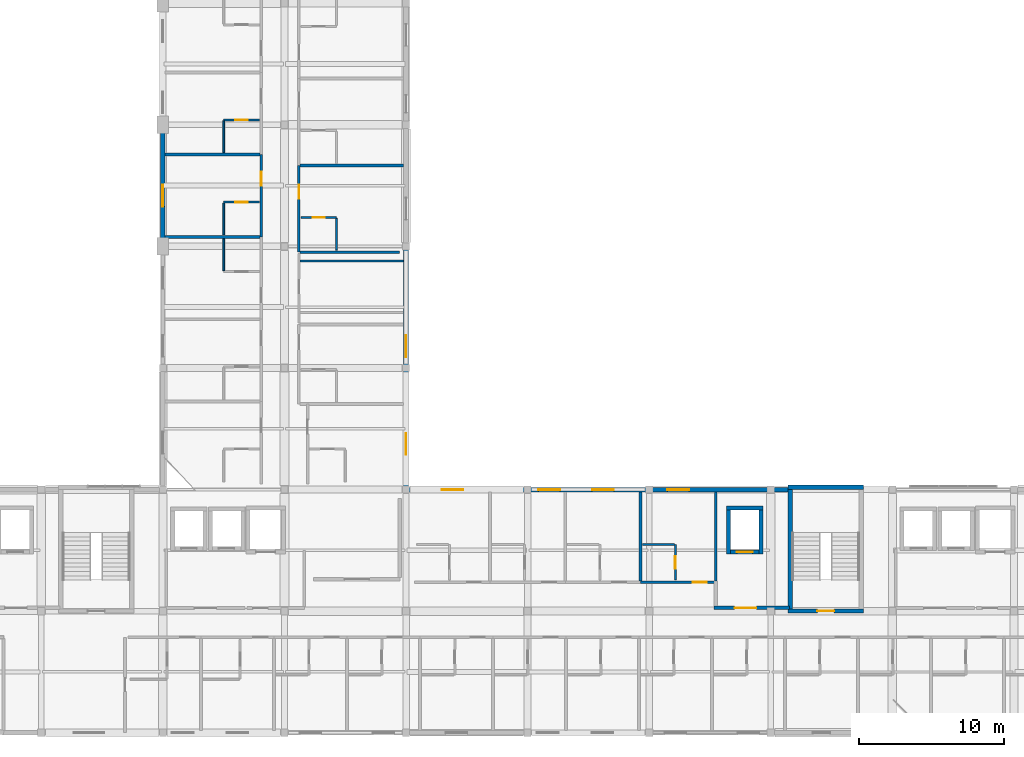
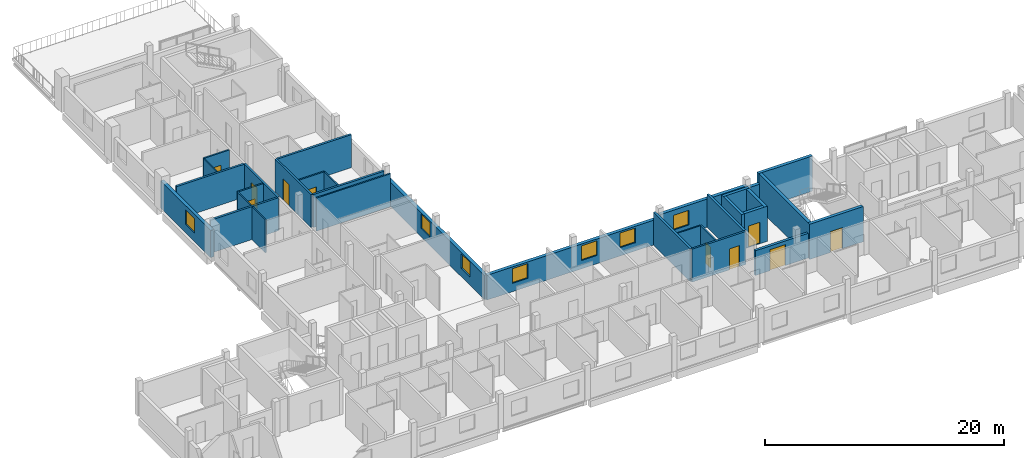
# One storey, part 13 of 20: 32 walls, 10 doors, 7 windows, 17 openings.
"""IFC4 building model written with IfcOpenShell, lengths in metres."""

from ifc_helpers import new_model, si_unit, derived_unit, direction, frame, frame_2d, origin, place, context, subcontext, project, spatial, rectangle, extrude, material, layer, layer_set, type_object, element, fill, save


model = new_model("IFC4")

# Units and contexts
model_context = context("Model", 3, precision=1e-05, world=origin(), true_north=direction((0.0, 1.0)))
body_context = subcontext(model_context, "Body", "Model", "MODEL_VIEW")
ifc_project = project(units=[si_unit("LENGTHUNIT", "METRE"), si_unit("AREAUNIT", "SQUARE_METRE"), si_unit("VOLUMEUNIT", "CUBIC_METRE"), si_unit("PLANEANGLEUNIT", "RADIAN"), si_unit("MASSUNIT", "GRAM", prefix="KILO"), derived_unit("THERMALTRANSMITTANCEUNIT", [(si_unit("POWERUNIT", "WATT"), 1), (si_unit("LENGTHUNIT", "METRE"), -2), (si_unit("THERMODYNAMICTEMPERATUREUNIT", "KELVIN"), -1)])], contexts=[model_context])

# Site, building, storey
site_placement = place(None, origin())
site = spatial("IfcSite", under=ifc_project, at=site_placement, CompositionType="ELEMENT")
building_placement = place(site_placement, origin())
building = spatial("IfcBuilding", under=site, at=building_placement, Name="Barrovel Congress Hotel", CompositionType="ELEMENT")
storey_placement = place(building_placement, frame((0.0, 0.0, 39.89990234375)))
storey = spatial("IfcBuildingStorey", under=building, at=storey_placement, Name="L10", CompositionType="ELEMENT", Elevation=39.89990234375)

# Wall, openings, windows
ifc_material_1 = material(Name="Fired Clay Brick Masonry", Category="masonry")
ifc_layer_1 = layer(ifc_material_1, 0.320068359375)
ifc_layer_set_1 = layer_set([ifc_layer_1], Name="Fired Clay Brick Masonry")
wall_type_1 = type_object("IfcWallType", Name="EW-BRK320", PredefinedType="STANDARD", material=ifc_layer_set_1)
wall_1_placement = place(storey_placement, frame((67.199951171875, 21.0, 0.0), z_axis=(0.0, 0.0, 1.0), x_axis=(-1.0, 0.0, 0.0)))
wall_1 = element("IfcWall", 1, at=wall_1_placement, inside=storey, type_object=wall_type_1, Name="EW:L10:HS-NE-3", PredefinedType="STANDARD", context=body_context, shape_type="SweptSolid", body=[
    extrude(rectangle(XDim=16.800048828125, YDim=0.320068359375, at=frame_2d((8.39990234375, 0.0))), origin(), (0.0, 0.0, 1.0), 2.530029296875),
])
opening_1_placement = place(wall_1_placement, frame((12.85009765625, 0.0, 0.85009765625)))
opening_1 = element("IfcOpeningElement", 2, at=opening_1_placement, cuts=wall_1, Name="Opening WN-07", PredefinedType="OPENING", context=body_context, shape_type="SweptSolid", body=[
    extrude(rectangle(XDim=1.5, YDim=1.5, at=frame_2d((0.75, 0.75))), frame((0.0, 0.169921875, 0.0), z_axis=(0.0, -1.0, 0.0), x_axis=(1.0, 0.0, 0.0)), (0.0, 0.0, 1.0), 0.340087890625),
])
opening_2_placement = place(wall_1_placement, frame((6.14990234375, 0.0, 0.85009765625)))
opening_2 = element("IfcOpeningElement", 3, at=opening_2_placement, cuts=wall_1, Name="Opening WN-07", PredefinedType="OPENING", context=body_context, shape_type="SweptSolid", body=[
    extrude(rectangle(XDim=1.5, YDim=1.5, at=frame_2d((0.75, 0.75))), frame((0.0, 0.169921875, 0.0), z_axis=(0.0, -1.0, 0.0), x_axis=(1.0, 0.0, 0.0)), (0.0, 0.0, 1.0), 0.340087890625),
])
opening_3_placement = place(wall_1_placement, frame((2.449951171875, 0.0, 0.85009765625)))
opening_3 = element("IfcOpeningElement", 4, at=opening_3_placement, cuts=wall_1, Name="Opening WN-07", PredefinedType="OPENING", context=body_context, shape_type="SweptSolid", body=[
    extrude(rectangle(XDim=1.5, YDim=1.5, at=frame_2d((0.75, 0.75))), frame((0.0, 0.169921875, 0.0), z_axis=(0.0, -1.0, 0.0), x_axis=(1.0, 0.0, 0.0)), (0.0, 0.0, 1.0), 0.340087890625),
])
ifc_material_2 = material(Name="Double Low-E Insulated Glazing", Category="glass")
window_type = type_object("IfcWindowType", Name="WIN-WN-07", PartitioningType="SINGLE_PANEL", PredefinedType="WINDOW", material=ifc_material_2)
window_1_placement = place(opening_1_placement, origin())
window_1 = element("IfcWindow", 5, at=window_1_placement, inside=storey, type_object=window_type, Name="WIN:L10:U18", OverallHeight=1.5, OverallWidth=1.5, PartitioningType="SINGLE_PANEL", PredefinedType="WINDOW", context=body_context, shape_type="SweptSolid", body=[
    extrude(rectangle(XDim=1.5, YDim=1.5, at=frame_2d((0.75, 0.75))), frame((0.0, 0.030029296875, 0.0), z_axis=(0.0, -1.0, 0.0), x_axis=(1.0, 0.0, 0.0)), (0.0, 0.0, 1.0), 0.06005859375),
])
fill(opening_1, window_1)
window_2_placement = place(opening_2_placement, origin())
window_2 = element("IfcWindow", 6, at=window_2_placement, inside=storey, type_object=window_type, Name="WIN:L10:U19", OverallHeight=1.5, OverallWidth=1.5, PartitioningType="SINGLE_PANEL", PredefinedType="WINDOW", context=body_context, shape_type="SweptSolid", body=[
    extrude(rectangle(XDim=1.5, YDim=1.5, at=frame_2d((0.75, 0.75))), frame((0.0, 0.030029296875, 0.0), z_axis=(0.0, -1.0, 0.0), x_axis=(1.0, 0.0, 0.0)), (0.0, 0.0, 1.0), 0.06005859375),
])
fill(opening_2, window_2)
window_3_placement = place(opening_3_placement, origin())
window_3 = element("IfcWindow", 7, at=window_3_placement, inside=storey, type_object=window_type, Name="WIN:L10:U20", OverallHeight=1.5, OverallWidth=1.5, PartitioningType="SINGLE_PANEL", PredefinedType="WINDOW", context=body_context, shape_type="SweptSolid", body=[
    extrude(rectangle(XDim=1.5, YDim=1.5, at=frame_2d((0.75, 0.75))), frame((0.0, 0.030029296875, 0.0), z_axis=(0.0, -1.0, 0.0), x_axis=(1.0, 0.0, 0.0)), (0.0, 0.0, 1.0), 0.06005859375),
])
fill(opening_3, window_3)

wall_2_placement = place(storey_placement, frame((50.39990234375, 21.0, 0.0), z_axis=(0.0, 0.0, 1.0), x_axis=(0.0, 1.0, 0.0)))
wall_2 = element("IfcWall", 8, at=wall_2_placement, inside=storey, type_object=wall_type_1, Name="EW:L10:HW-E-1", PredefinedType="STANDARD", context=body_context, shape_type="SweptSolid", body=[
    extrude(rectangle(XDim=16.800048828125, YDim=0.320068359375, at=frame_2d((8.39990234375, 0.0))), origin(), (0.0, 0.0, 1.0), 2.47998046875),
])
opening_4_placement = place(wall_2_placement, frame((2.39990234375, 0.0, 0.85009765625)))
opening_4 = element("IfcOpeningElement", 9, at=opening_4_placement, cuts=wall_2, Name="Opening WN-07", PredefinedType="OPENING", context=body_context, shape_type="SweptSolid", body=[
    extrude(rectangle(XDim=1.5, YDim=1.5, at=frame_2d((0.75, 0.75))), frame((0.0, 0.169921875, 0.0), z_axis=(0.0, -1.0, 0.0), x_axis=(1.0, 0.0, 0.0)), (0.0, 0.0, 1.0), 0.340087890625),
])
opening_5_placement = place(wall_2_placement, frame((9.14990234375, 0.0, 0.85009765625)))
opening_5 = element("IfcOpeningElement", 10, at=opening_5_placement, cuts=wall_2, Name="Opening WN-07", PredefinedType="OPENING", context=body_context, shape_type="SweptSolid", body=[
    extrude(rectangle(XDim=1.5, YDim=1.5, at=frame_2d((0.75, 0.75))), frame((0.0, 0.169921875, 0.0), z_axis=(0.0, -1.0, 0.0), x_axis=(1.0, 0.0, 0.0)), (0.0, 0.0, 1.0), 0.340087890625),
])
window_4_placement = place(opening_4_placement, origin())
window_4 = element("IfcWindow", 11, at=window_4_placement, inside=storey, type_object=window_type, Name="WIN:L10:U32", OverallHeight=1.5, OverallWidth=1.5, PartitioningType="SINGLE_PANEL", PredefinedType="WINDOW", context=body_context, shape_type="SweptSolid", body=[
    extrude(rectangle(XDim=1.5, YDim=1.5, at=frame_2d((0.75, 0.75))), frame((0.0, 0.030029296875, 0.0), z_axis=(0.0, -1.0, 0.0), x_axis=(1.0, 0.0, 0.0)), (0.0, 0.0, 1.0), 0.06005859375),
])
fill(opening_4, window_4)
window_5_placement = place(opening_5_placement, origin())
window_5 = element("IfcWindow", 12, at=window_5_placement, inside=storey, type_object=window_type, Name="WIN:L10:U33", OverallHeight=1.5, OverallWidth=1.5, PartitioningType="SINGLE_PANEL", PredefinedType="WINDOW", context=body_context, shape_type="SweptSolid", body=[
    extrude(rectangle(XDim=1.5, YDim=1.5, at=frame_2d((0.75, 0.75))), frame((0.0, 0.030029296875, 0.0), z_axis=(0.0, -1.0, 0.0), x_axis=(1.0, 0.0, 0.0)), (0.0, 0.0, 1.0), 0.06005859375),
])
fill(opening_5, window_5)

# Wall
wall_3_placement = place(storey_placement, frame((76.800048828125, 21.0, 0.0), z_axis=(0.0, 0.0, 1.0), x_axis=(-1.0, 0.0, 0.0)))
element("IfcWall", 13, at=wall_3_placement, inside=storey, type_object=wall_type_1, Name="EW:L10:HS-NE-3:P01", PredefinedType="STANDARD", context=body_context, shape_type="SweptSolid", body=[
    extrude(rectangle(XDim=1.199951171875, YDim=0.320068359375, at=frame_2d((0.60009765625, 0.0))), origin(), (0.0, 0.0, 1.0), 2.630126953125),
])

# Wall, opening, window
wall_4_placement = place(storey_placement, frame((75.60009765625, 21.0, 0.0), z_axis=(0.0, 0.0, 1.0), x_axis=(-1.0, 0.0, 0.0)))
wall_4 = element("IfcWall", 14, at=wall_4_placement, inside=storey, type_object=wall_type_1, Name="EW:L10:HS-NE-3:P02", PredefinedType="STANDARD", context=body_context, shape_type="SweptSolid", body=[
    extrude(rectangle(XDim=8.400146484375, YDim=0.320068359375, at=frame_2d((4.2001953125, 0.0))), origin(), (0.0, 0.0, 1.0), 2.880126953125),
])
opening_6_placement = place(wall_4_placement, frame((5.64990234375, 0.0, 0.85009765625)))
opening_6 = element("IfcOpeningElement", 15, at=opening_6_placement, cuts=wall_4, Name="Opening WN-07", PredefinedType="OPENING", context=body_context, shape_type="SweptSolid", body=[
    extrude(rectangle(XDim=1.5, YDim=1.5, at=frame_2d((0.75, 0.75))), frame((0.0, 0.169921875, 0.0), z_axis=(0.0, -1.0, 0.0), x_axis=(1.0, 0.0, 0.0)), (0.0, 0.0, 1.0), 0.340087890625),
])
window_6_placement = place(opening_6_placement, origin())
window_6 = element("IfcWindow", 16, at=window_6_placement, inside=storey, type_object=window_type, Name="WIN:L10:U21", OverallHeight=1.5, OverallWidth=1.5, PartitioningType="SINGLE_PANEL", PredefinedType="WINDOW", context=body_context, shape_type="SweptSolid", body=[
    extrude(rectangle(XDim=1.5, YDim=1.5, at=frame_2d((0.75, 0.75))), frame((0.0, 0.030029296875, 0.0), z_axis=(0.0, -1.0, 0.0), x_axis=(1.0, 0.0, 0.0)), (0.0, 0.0, 1.0), 0.06005859375),
])
fill(opening_6, window_6)

wall_5_placement = place(storey_placement, frame((33.60009765625, 46.199951171875, 0.0), z_axis=(0.0, 0.0, 1.0), x_axis=(0.0, -1.0, 0.0)))
wall_5 = element("IfcWall", 17, at=wall_5_placement, inside=storey, type_object=wall_type_1, Name="EW:L10:HW-W:P03", PredefinedType="STANDARD", context=body_context, shape_type="SweptSolid", body=[
    extrude(rectangle(XDim=8.39990234375, YDim=0.320068359375, at=frame_2d((4.199951171875, 0.0))), origin(), (0.0, 0.0, 1.0), 2.780029296875),
])
opening_7_placement = place(wall_5_placement, frame((4.14990234375, 0.0, 0.85009765625)))
opening_7 = element("IfcOpeningElement", 18, at=opening_7_placement, cuts=wall_5, Name="Opening WN-07", PredefinedType="OPENING", context=body_context, shape_type="SweptSolid", body=[
    extrude(rectangle(XDim=1.5, YDim=1.5, at=frame_2d((0.75, 0.75))), frame((0.0, 0.169921875, 0.0), z_axis=(0.0, -1.0, 0.0), x_axis=(1.0, 0.0, 0.0)), (0.0, 0.0, 1.0), 0.340087890625),
])
window_7_placement = place(opening_7_placement, origin())
window_7 = element("IfcWindow", 19, at=window_7_placement, inside=storey, type_object=window_type, Name="WIN:L10:U28", OverallHeight=1.5, OverallWidth=1.5, PartitioningType="SINGLE_PANEL", PredefinedType="WINDOW", context=body_context, shape_type="SweptSolid", body=[
    extrude(rectangle(XDim=1.5, YDim=1.5, at=frame_2d((0.75, 0.75))), frame((0.0, 0.030029296875, 0.0), z_axis=(0.0, -1.0, 0.0), x_axis=(1.0, 0.0, 0.0)), (0.0, 0.0, 1.0), 0.06005859375),
])
fill(opening_7, window_7)

# Wall, opening, door
ifc_material_3 = material(Name="Gypsum Acoustic Stud", Category="gypsum")
ifc_layer_2 = layer(ifc_material_3, 0.179931640625)
ifc_layer_set_2 = layer_set([ifc_layer_2], Name="Gypsum Acoustic Stud")
wall_type_2 = type_object("IfcWallType", Name="PW-ACU-180", PredefinedType="PARTITIONING", material=ifc_layer_set_2)
wall_6_placement = place(storey_placement, frame((66.60009765625, 14.60009765625, 0.0), z_axis=(0.0, 0.0, 1.0), x_axis=(1.0, 0.0, 0.0)))
wall_6 = element("IfcWall", 20, at=wall_6_placement, inside=storey, type_object=wall_type_2, Name="PW:L10:U21:COR", PredefinedType="PARTITIONING", context=body_context, shape_type="SweptSolid", body=[
    extrude(rectangle(XDim=5.199951171875, YDim=0.179931640625, at=frame_2d((2.60009765625, 0.0))), origin(), (0.0, 0.0, 1.0), 3.375),
])
opening_8_placement = place(wall_6_placement, frame((3.611083984375, 0.0, 0.0)))
opening_8 = element("IfcOpeningElement", 21, at=opening_8_placement, cuts=wall_6, Name="Opening ID-HTL", PredefinedType="OPENING", context=body_context, shape_type="SweptSolid", body=[
    extrude(rectangle(XDim=0.9599609375, YDim=2.14990234375, at=frame_2d((0.47998046875, 1.074951171875))), frame((0.0, 0.10009765625, 0.0), z_axis=(0.0, -1.0, 0.0), x_axis=(1.0, 0.0, 0.0)), (0.0, 0.0, 1.0), 0.199951171875),
])
ifc_material_4 = material(Name="Solid Oak Acoustic Timber Door", Category="wood")
door_type_1 = type_object("IfcDoorType", Name="IDR-ID-HTL", OperationType="NOTDEFINED", PredefinedType="DOOR", material=ifc_material_4)
door_1_placement = place(opening_8_placement, origin())
door_1 = element("IfcDoor", 22, at=door_1_placement, inside=storey, type_object=door_type_1, Name="DR:L10:U21:ENT", OperationType="SINGLE_SWING_RIGHT", OverallHeight=2.14990234375, OverallWidth=0.9599609375, PredefinedType="DOOR", context=body_context, shape_type="SweptSolid", body=[
    extrude(rectangle(XDim=0.9599609375, YDim=2.14990234375, at=frame_2d((0.47998046875, 1.074951171875))), frame((0.0, 0.02490234375, 0.0), z_axis=(0.0, -1.0, 0.0), x_axis=(1.0, 0.0, 0.0)), (0.0, 0.0, 1.0), 0.050048828125),
])
fill(opening_8, door_1)

wall_7_placement = place(storey_placement, frame((40.39990234375, 38.45703125, 0.0), z_axis=(0.0, 0.0, 1.0), x_axis=(0.0, 1.0, 0.0)))
wall_7 = element("IfcWall", 23, at=wall_7_placement, inside=storey, type_object=wall_type_2, Name="PW:L10:U28:COR", PredefinedType="PARTITIONING", context=body_context, shape_type="SweptSolid", body=[
    extrude(rectangle(XDim=5.685791015625, YDim=0.179931640625, at=frame_2d((2.8427734375, 0.0))), origin(), (0.0, 0.0, 1.0), 3.375),
])
opening_9_placement = place(wall_7_placement, frame((3.5478515625, 0.0, 0.0)))
opening_9 = element("IfcOpeningElement", 24, at=opening_9_placement, cuts=wall_7, Name="Opening ID-HTL", PredefinedType="OPENING", context=body_context, shape_type="SweptSolid", body=[
    extrude(rectangle(XDim=0.9599609375, YDim=2.14990234375, at=frame_2d((0.47998046875, 1.074951171875))), frame((0.0, 0.10009765625, 0.0), z_axis=(0.0, -1.0, 0.0), x_axis=(1.0, 0.0, 0.0)), (0.0, 0.0, 1.0), 0.199951171875),
])
door_2_placement = place(opening_9_placement, origin())
door_2 = element("IfcDoor", 25, at=door_2_placement, inside=storey, type_object=door_type_1, Name="DR:L10:U28:ENT", OperationType="SINGLE_SWING_RIGHT", OverallHeight=2.14990234375, OverallWidth=0.9599609375, PredefinedType="DOOR", context=body_context, shape_type="SweptSolid", body=[
    extrude(rectangle(XDim=0.9599609375, YDim=2.14990234375, at=frame_2d((0.47998046875, 1.074951171875))), frame((0.0, 0.02490234375, 0.0), z_axis=(0.0, -1.0, 0.0), x_axis=(1.0, 0.0, 0.0)), (0.0, 0.0, 1.0), 0.050048828125),
])
fill(opening_9, door_2)

wall_8_placement = place(storey_placement, frame((43.0, 37.39990234375, 0.0), z_axis=(0.0, 0.0, 1.0), x_axis=(0.0, 1.0, 0.0)))
wall_8 = element("IfcWall", 26, at=wall_8_placement, inside=storey, type_object=wall_type_2, Name="PW:L10:U34:COR", PredefinedType="PARTITIONING", context=body_context, shape_type="SweptSolid", body=[
    extrude(rectangle(XDim=6.0, YDim=0.179931640625, at=frame_2d((3.0, 0.0))), origin(), (0.0, 0.0, 1.0), 3.375),
])
opening_10_placement = place(wall_8_placement, frame((3.705078125, 0.0, 0.0)))
opening_10 = element("IfcOpeningElement", 27, at=opening_10_placement, cuts=wall_8, Name="Opening ID-HTL", PredefinedType="OPENING", context=body_context, shape_type="SweptSolid", body=[
    extrude(rectangle(XDim=0.9599609375, YDim=2.14990234375, at=frame_2d((0.47998046875, 1.074951171875))), frame((0.0, 0.10009765625, 0.0), z_axis=(0.0, -1.0, 0.0), x_axis=(1.0, 0.0, 0.0)), (0.0, 0.0, 1.0), 0.199951171875),
])
door_3_placement = place(opening_10_placement, origin())
door_3 = element("IfcDoor", 28, at=door_3_placement, inside=storey, type_object=door_type_1, Name="DR:L10:U34:ENT", OperationType="SINGLE_SWING_RIGHT", OverallHeight=2.14990234375, OverallWidth=0.9599609375, PredefinedType="DOOR", context=body_context, shape_type="SweptSolid", body=[
    extrude(rectangle(XDim=0.9599609375, YDim=2.14990234375, at=frame_2d((0.47998046875, 1.074951171875))), frame((0.0, 0.02490234375, 0.0), z_axis=(0.0, -1.0, 0.0), x_axis=(1.0, 0.0, 0.0)), (0.0, 0.0, 1.0), 0.050048828125),
])
fill(opening_10, door_3)

# Walls
ifc_layer_3 = layer(ifc_material_3, 0.1201171875)
ifc_layer_set_3 = layer_set([ifc_layer_3], Name="Gypsum Acoustic Stud")
wall_type_3 = type_object("IfcWallType", Name="PW-INT-120", PredefinedType="PARTITIONING", material=ifc_layer_set_3)
for number, where, z_axis, x_axis, name in (
    (29, (66.739990234375, 17.199951171875, 0.0), (0.0, 0.0, 1.0), (1.0, 0.0, 0.0), "PW:L10:U21:B2"),
    (30, (37.800048828125, 36.127197265625, 0.0), (0.0, 0.0, 1.0), (0.0, 1.0, 0.0), "PW:L10:U27:B2"),
    (31, (37.800048828125, 38.59716796875, 0.0), (0.0, 0.0, 1.0), (0.0, 1.0, 0.0), "PW:L10:U28:B2"),
    (32, (37.800048828125, 44.282958984375, 0.0), (0.0, 0.0, 1.0), (0.0, 1.0, 0.0), "PW:L10:U29:B2"),
    (33, (45.60009765625, 37.5400390625, 0.0), (0.0, 0.0, 1.0), (0.0, 1.0, 0.0), "PW:L10:U34:B2"),
):
    element("IfcWall", number, at=place(storey_placement, frame(where, z_axis=z_axis, x_axis=x_axis)), inside=storey, type_object=wall_type_3, Name=name, PredefinedType="PARTITIONING", context=body_context, shape_type="SweptSolid", body=[
        extrude(rectangle(XDim=2.18994140625, YDim=0.1201171875, at=frame_2d((1.094970703125, 0.0))), origin(), (0.0, 0.0, 1.0), 3.375),
    ])
ifc_layer_4 = layer(ifc_material_1, 0.199951171875)
ifc_layer_set_4 = layer_set([ifc_layer_4], Name="Fired Clay Brick Masonry")
wall_type_4 = type_object("IfcWallType", Name="PW-MAS-200", PredefinedType="PARTITIONING", material=ifc_layer_set_4)
for number, where, z_axis, x_axis, name in (
    (34, (66.60009765625, 14.68994140625, 0.0), (0.0, 0.0, 1.0), (0.0, 1.0, 0.0), "PW:L10:U20:DEM"),
    (35, (71.800048828125, 14.68994140625, 0.0), (0.0, 0.0, 1.0), (0.0, 1.0, 0.0), "PW:L10:U21:DEM"),
):
    element("IfcWall", number, at=place(storey_placement, frame(where, z_axis=z_axis, x_axis=x_axis)), inside=storey, type_object=wall_type_4, Name=name, PredefinedType="PARTITIONING", context=body_context, shape_type="SweptSolid", body=[
        extrude(rectangle(XDim=6.150146484375, YDim=0.199951171875, at=frame_2d((3.0751953125, 0.0))), origin(), (0.0, 0.0, 1.0), 3.375),
    ])
for number, where, z_axis, x_axis, name in (
    (36, (33.760009765625, 38.45703125, 0.0), (0.0, 0.0, 1.0), (1.0, 0.0, 0.0), "PW:L10:U27:DEM"),
    (37, (33.760009765625, 44.142822265625, 0.0), (0.0, 0.0, 1.0), (1.0, 0.0, 0.0), "PW:L10:U28:DEM"),
):
    element("IfcWall", number, at=place(storey_placement, frame(where, z_axis=z_axis, x_axis=x_axis)), inside=storey, type_object=wall_type_4, Name=name, PredefinedType="PARTITIONING", context=body_context, shape_type="SweptSolid", body=[
        extrude(rectangle(XDim=6.550048828125, YDim=0.199951171875, at=frame_2d((3.27490234375, 0.0))), origin(), (0.0, 0.0, 1.0), 3.375),
    ])
wall_9_placement = place(storey_placement, frame((43.090087890625, 37.39990234375, 0.0), z_axis=(0.0, 0.0, 1.0), x_axis=(1.0, 0.0, 0.0)))
element("IfcWall", 38, at=wall_9_placement, inside=storey, type_object=wall_type_4, Name="PW:L10:U34:DEM0", PredefinedType="PARTITIONING", context=body_context, shape_type="SweptSolid", body=[
    extrude(rectangle(XDim=6.85986328125, YDim=0.199951171875, at=frame_2d((3.429931640625, 0.0))), origin(), (0.0, 0.0, 1.0), 3.375),
])
wall_10_placement = place(storey_placement, frame((43.090087890625, 43.39990234375, 0.0), z_axis=(0.0, 0.0, 1.0), x_axis=(1.0, 0.0, 0.0)))
element("IfcWall", 39, at=wall_10_placement, inside=storey, type_object=wall_type_4, Name="PW:L10:U34:DEM", PredefinedType="PARTITIONING", context=body_context, shape_type="SweptSolid", body=[
    extrude(rectangle(XDim=7.14990234375, YDim=0.199951171875, at=frame_2d((3.574951171875, 0.0))), origin(), (0.0, 0.0, 1.0), 3.375),
])

# Wall, opening, door
ifc_layer_5 = layer(ifc_material_1, 0.239990234375)
ifc_layer_set_5 = layer_set([ifc_layer_5], Name="Fired Clay Brick Masonry")
wall_type_5 = type_object("IfcWallType", Name="PW-MAS-240", PredefinedType="PARTITIONING", material=ifc_layer_set_5)
wall_11_placement = place(storey_placement, frame((71.679931640625, 12.820068359375, 0.0), z_axis=(0.0, 0.0, 1.0), x_axis=(1.0, 0.0, 0.0)))
wall_11 = element("IfcWall", 40, at=wall_11_placement, inside=storey, type_object=wall_type_5, Name="RW:SP:L10:FFL-2:S", PredefinedType="PARTITIONING", context=body_context, shape_type="SweptSolid", body=[
    extrude(rectangle(XDim=5.199951171875, YDim=0.239990234375, at=frame_2d((2.60009765625, 0.0))), origin(), (0.0, 0.0, 1.0), 2.530029296875),
])
opening_11_placement = place(wall_11_placement, frame((1.419921875, 0.0, 0.0)))
opening_11 = element("IfcOpeningElement", 41, at=opening_11_placement, cuts=wall_11, Name="Opening ID-FFL", PredefinedType="OPENING", context=body_context, shape_type="SweptSolid", body=[
    extrude(rectangle(XDim=1.5, YDim=2.14990234375, at=frame_2d((0.75, 1.074951171875))), frame((0.0, 0.1298828125, 0.0), z_axis=(0.0, -1.0, 0.0), x_axis=(1.0, 0.0, 0.0)), (0.0, 0.0, 1.0), 0.260009765625),
])
ifc_material_5 = material(Name="Painted Hollow-Metal Steel Door", Category="steel")
door_type_2 = type_object("IfcDoorType", Name="IDR-ID-FFL", OperationType="NOTDEFINED", PredefinedType="DOOR", material=ifc_material_5)
door_4_placement = place(opening_11_placement, origin())
door_4 = element("IfcDoor", 42, at=door_4_placement, inside=storey, type_object=door_type_2, Name="RD:SP:L10:FFL-2", OperationType="DOUBLE_DOOR_SINGLE_SWING", OverallHeight=2.14990234375, OverallWidth=1.5, PredefinedType="DOOR", context=body_context, shape_type="SweptSolid", body=[
    extrude(rectangle(XDim=1.5, YDim=2.14990234375, at=frame_2d((0.75, 1.074951171875))), frame((0.0, 0.02490234375, 0.0), z_axis=(0.0, -1.0, 0.0), x_axis=(1.0, 0.0, 0.0)), (0.0, 0.0, 1.0), 0.050048828125),
])
fill(opening_11, door_4)

ifc_material_6 = material(Name="Gypsum Moisture Board", Category="gypsum")
ifc_layer_6 = layer(ifc_material_6, 0.139892578125)
ifc_layer_set_6 = layer_set([ifc_layer_6], Name="Gypsum Moisture Board")
wall_type_6 = type_object("IfcWallType", Name="PW-WET-140", PredefinedType="PARTITIONING", material=ifc_layer_set_6)
wall_12_placement = place(storey_placement, frame((69.0, 14.739990234375, 0.0), z_axis=(0.0, 0.0, 1.0), x_axis=(0.0, 1.0, 0.0)))
wall_12 = element("IfcWall", 43, at=wall_12_placement, inside=storey, type_object=wall_type_6, Name="PW:L10:U21:B1", PredefinedType="PARTITIONING", context=body_context, shape_type="SweptSolid", body=[
    extrude(rectangle(XDim=2.4599609375, YDim=0.139892578125, at=frame_2d((1.22998046875, 0.0))), origin(), (0.0, 0.0, 1.0), 3.375),
])
opening_12_placement = place(wall_12_placement, frame((0.800048828125, 0.0, 0.0)))
opening_12 = element("IfcOpeningElement", 44, at=opening_12_placement, cuts=wall_12, Name="Opening ID-ENS", PredefinedType="OPENING", context=body_context, shape_type="SweptSolid", body=[
    extrude(rectangle(XDim=0.860107421875, YDim=2.10009765625, at=frame_2d((0.43017578125, 1.050048828125))), frame((0.0, 0.080078125, 0.0), z_axis=(0.0, -1.0, 0.0), x_axis=(1.0, 0.0, 0.0)), (0.0, 0.0, 1.0), 0.159912109375),
])
ifc_material_7 = material(Name="Lacquered Timber Moisture Door", Category="wood")
door_type_3 = type_object("IfcDoorType", Name="IDR-ID-ENS", OperationType="NOTDEFINED", PredefinedType="DOOR", material=ifc_material_7)
door_5_placement = place(opening_12_placement, origin())
door_5 = element("IfcDoor", 45, at=door_5_placement, inside=storey, type_object=door_type_3, Name="DR:L10:U21:ENS", OperationType="SINGLE_SWING_LEFT", OverallHeight=2.10009765625, OverallWidth=0.860107421875, PredefinedType="DOOR", context=body_context, shape_type="SweptSolid", body=[
    extrude(rectangle(XDim=0.860107421875, YDim=2.10009765625, at=frame_2d((0.43017578125, 1.050048828125))), frame((0.0, 0.02490234375, 0.0), z_axis=(0.0, -1.0, 0.0), x_axis=(1.0, 0.0, 0.0)), (0.0, 0.0, 1.0), 0.050048828125),
])
fill(opening_12, door_5)

wall_13_placement = place(storey_placement, frame((37.800048828125, 40.857177734375, 0.0), z_axis=(0.0, 0.0, 1.0), x_axis=(1.0, 0.0, 0.0)))
wall_13 = element("IfcWall", 46, at=wall_13_placement, inside=storey, type_object=wall_type_6, Name="PW:L10:U28:B1", PredefinedType="PARTITIONING", context=body_context, shape_type="SweptSolid", body=[
    extrude(rectangle(XDim=2.4599609375, YDim=0.139892578125, at=frame_2d((1.22998046875, 0.0))), origin(), (0.0, 0.0, 1.0), 3.375),
])
opening_13_placement = place(wall_13_placement, frame((0.800048828125, 0.0, 0.0)))
opening_13 = element("IfcOpeningElement", 47, at=opening_13_placement, cuts=wall_13, Name="Opening ID-ENS", PredefinedType="OPENING", context=body_context, shape_type="SweptSolid", body=[
    extrude(rectangle(XDim=0.860107421875, YDim=2.10009765625, at=frame_2d((0.43017578125, 1.050048828125))), frame((0.0, 0.080078125, 0.0), z_axis=(0.0, -1.0, 0.0), x_axis=(1.0, 0.0, 0.0)), (0.0, 0.0, 1.0), 0.159912109375),
])
door_6_placement = place(opening_13_placement, origin())
door_6 = element("IfcDoor", 48, at=door_6_placement, inside=storey, type_object=door_type_3, Name="DR:L10:U28:ENS", OperationType="SINGLE_SWING_LEFT", OverallHeight=2.10009765625, OverallWidth=0.860107421875, PredefinedType="DOOR", context=body_context, shape_type="SweptSolid", body=[
    extrude(rectangle(XDim=0.860107421875, YDim=2.10009765625, at=frame_2d((0.43017578125, 1.050048828125))), frame((0.0, 0.02490234375, 0.0), z_axis=(0.0, -1.0, 0.0), x_axis=(1.0, 0.0, 0.0)), (0.0, 0.0, 1.0), 0.050048828125),
])
fill(opening_13, door_6)

wall_14_placement = place(storey_placement, frame((37.800048828125, 46.54296875, 0.0), z_axis=(0.0, 0.0, 1.0), x_axis=(1.0, 0.0, 0.0)))
wall_14 = element("IfcWall", 49, at=wall_14_placement, inside=storey, type_object=wall_type_6, Name="PW:L10:U29:B1", PredefinedType="PARTITIONING", context=body_context, shape_type="SweptSolid", body=[
    extrude(rectangle(XDim=2.4599609375, YDim=0.139892578125, at=frame_2d((1.22998046875, 0.0))), origin(), (0.0, 0.0, 1.0), 3.375),
])
opening_14_placement = place(wall_14_placement, frame((0.800048828125, 0.0, 0.0)))
opening_14 = element("IfcOpeningElement", 50, at=opening_14_placement, cuts=wall_14, Name="Opening ID-ENS", PredefinedType="OPENING", context=body_context, shape_type="SweptSolid", body=[
    extrude(rectangle(XDim=0.860107421875, YDim=2.10009765625, at=frame_2d((0.43017578125, 1.050048828125))), frame((0.0, 0.080078125, 0.0), z_axis=(0.0, -1.0, 0.0), x_axis=(1.0, 0.0, 0.0)), (0.0, 0.0, 1.0), 0.159912109375),
])
door_7_placement = place(opening_14_placement, origin())
door_7 = element("IfcDoor", 51, at=door_7_placement, inside=storey, type_object=door_type_3, Name="DR:L10:U29:ENS", OperationType="SINGLE_SWING_LEFT", OverallHeight=2.10009765625, OverallWidth=0.860107421875, PredefinedType="DOOR", context=body_context, shape_type="SweptSolid", body=[
    extrude(rectangle(XDim=0.860107421875, YDim=2.10009765625, at=frame_2d((0.43017578125, 1.050048828125))), frame((0.0, 0.02490234375, 0.0), z_axis=(0.0, -1.0, 0.0), x_axis=(1.0, 0.0, 0.0)), (0.0, 0.0, 1.0), 0.050048828125),
])
fill(opening_14, door_7)

wall_15_placement = place(storey_placement, frame((43.139892578125, 39.800048828125, 0.0), z_axis=(0.0, 0.0, 1.0), x_axis=(1.0, 0.0, 0.0)))
wall_15 = element("IfcWall", 52, at=wall_15_placement, inside=storey, type_object=wall_type_6, Name="PW:L10:U34:B1", PredefinedType="PARTITIONING", context=body_context, shape_type="SweptSolid", body=[
    extrude(rectangle(XDim=2.460205078125, YDim=0.139892578125, at=frame_2d((1.22998046875, 0.0))), origin(), (0.0, 0.0, 1.0), 3.375),
])
opening_15_placement = place(wall_15_placement, frame((0.800048828125, 0.0, 0.0)))
opening_15 = element("IfcOpeningElement", 53, at=opening_15_placement, cuts=wall_15, Name="Opening ID-ENS", PredefinedType="OPENING", context=body_context, shape_type="SweptSolid", body=[
    extrude(rectangle(XDim=0.860107421875, YDim=2.10009765625, at=frame_2d((0.43017578125, 1.050048828125))), frame((0.0, 0.080078125, 0.0), z_axis=(0.0, -1.0, 0.0), x_axis=(1.0, 0.0, 0.0)), (0.0, 0.0, 1.0), 0.159912109375),
])
door_8_placement = place(opening_15_placement, origin())
door_8 = element("IfcDoor", 54, at=door_8_placement, inside=storey, type_object=door_type_3, Name="DR:L10:U34:ENS", OperationType="SINGLE_SWING_LEFT", OverallHeight=2.10009765625, OverallWidth=0.860107421875, PredefinedType="DOOR", context=body_context, shape_type="SweptSolid", body=[
    extrude(rectangle(XDim=0.860107421875, YDim=2.10009765625, at=frame_2d((0.43017578125, 1.050048828125))), frame((0.0, 0.02490234375, 0.0), z_axis=(0.0, -1.0, 0.0), x_axis=(1.0, 0.0, 0.0)), (0.0, 0.0, 1.0), 0.050048828125),
])
fill(opening_15, door_8)

# Wall
wall_16_placement = place(storey_placement, frame((43.070068359375, 36.780029296875, 0.0), z_axis=(0.0, 0.0, 1.0), x_axis=(1.0, 0.0, 0.0)))
element("IfcWall", 55, at=wall_16_placement, inside=storey, type_object=wall_type_6, Name="RW:SP:L10:WC-A:N", PredefinedType="PARTITIONING", context=body_context, shape_type="SweptSolid", body=[
    extrude(rectangle(XDim=7.169921875, YDim=0.139892578125, at=frame_2d((3.5849609375, 0.0))), origin(), (0.0, 0.0, 1.0), 3.375),
])

# Wall, opening, door
ifc_material_8 = material(Name="Concrete C40", Category="concrete")
ifc_layer_7 = layer(ifc_material_8, 0.280029296875)
ifc_layer_set_7 = layer_set([ifc_layer_7], Name="Concrete C40")
wall_type_7 = type_object("IfcWallType", Name="SW-C40-280", PredefinedType="SHEAR", material=ifc_layer_set_7)
wall_17_placement = place(storey_placement, frame((72.5400390625, 16.679931640625, 0.0), z_axis=(0.0, 0.0, 1.0), x_axis=(1.0, 0.0, 0.0)))
wall_17 = element("IfcWall", 56, at=wall_17_placement, inside=storey, type_object=wall_type_7, Name="LSH:FL-2:L10:S", PredefinedType="SHEAR", context=body_context, shape_type="SweptSolid", body=[
    extrude(rectangle(XDim=2.52001953125, YDim=0.280029296875, at=frame_2d((1.260009765625, 0.0))), origin(), (0.0, 0.0, 1.0), 3.60009765625),
])
opening_16_placement = place(wall_17_placement, frame((0.7099609375, 0.0, 0.0)))
opening_16 = element("IfcOpeningElement", 57, at=opening_16_placement, cuts=wall_17, Name="Opening LD-FF", PredefinedType="OPENING", context=body_context, shape_type="SweptSolid", body=[
    extrude(rectangle(XDim=1.10009765625, YDim=2.199951171875, at=frame_2d((0.550048828125, 1.10009765625))), frame((0.0, 0.14990234375, 0.0), z_axis=(0.0, -1.0, 0.0), x_axis=(1.0, 0.0, 0.0)), (0.0, 0.0, 1.0), 0.300048828125),
])
ifc_material_9 = material(Name="Brushed Stainless Steel", Category="steel")
door_type_4 = type_object("IfcDoorType", Name="IDR-LD-FF", OperationType="NOTDEFINED", PredefinedType="DOOR", material=ifc_material_9)
door_9_placement = place(opening_16_placement, origin())
door_9 = element("IfcDoor", 58, at=door_9_placement, inside=storey, type_object=door_type_4, Name="Lift Landing Door LD-FL-2-L10", OperationType="SLIDING_TO_LEFT", OverallHeight=2.199951171875, OverallWidth=1.10009765625, PredefinedType="DOOR", context=body_context, shape_type="SweptSolid", body=[
    extrude(rectangle(XDim=1.10009765625, YDim=2.199951171875, at=frame_2d((0.550048828125, 1.10009765625))), frame((0.0, 0.02490234375, 0.0), z_axis=(0.0, -1.0, 0.0), x_axis=(1.0, 0.0, 0.0)), (0.0, 0.0, 1.0), 0.050048828125),
])
fill(opening_16, door_9)

# Walls
wall_18_placement = place(storey_placement, frame((74.919921875, 16.5400390625, 0.0), z_axis=(0.0, 0.0, 1.0), x_axis=(0.0, 1.0, 0.0)))
element("IfcWall", 59, at=wall_18_placement, inside=storey, type_object=wall_type_7, Name="LSH:FL-2:L10:E", PredefinedType="SHEAR", context=body_context, shape_type="SweptSolid", body=[
    extrude(rectangle(XDim=3.320068359375, YDim=0.280029296875, at=frame_2d((1.66015625, 0.0))), origin(), (0.0, 0.0, 1.0), 3.60009765625),
])
wall_19_placement = place(storey_placement, frame((75.06005859375, 19.719970703125, 0.0), z_axis=(0.0, 0.0, 1.0), x_axis=(-1.0, 0.0, 0.0)))
element("IfcWall", 60, at=wall_19_placement, inside=storey, type_object=wall_type_7, Name="LSH:FL-2:L10:N", PredefinedType="SHEAR", context=body_context, shape_type="SweptSolid", body=[
    extrude(rectangle(XDim=2.52001953125, YDim=0.280029296875, at=frame_2d((1.260009765625, 0.0))), origin(), (0.0, 0.0, 1.0), 3.60009765625),
])
wall_20_placement = place(storey_placement, frame((72.679931640625, 19.860107421875, 0.0), z_axis=(0.0, 0.0, 1.0), x_axis=(0.0, -1.0, 0.0)))
element("IfcWall", 61, at=wall_20_placement, inside=storey, type_object=wall_type_7, Name="LSH:FL-2:L10:W", PredefinedType="SHEAR", context=body_context, shape_type="SweptSolid", body=[
    extrude(rectangle(XDim=3.320068359375, YDim=0.280029296875, at=frame_2d((1.66015625, 0.0))), origin(), (0.0, 0.0, 1.0), 3.60009765625),
])

# Wall, opening, door
ifc_layer_8 = layer(ifc_material_8, 0.300048828125)
ifc_layer_set_8 = layer_set([ifc_layer_8], Name="Concrete C40")
wall_type_8 = type_object("IfcWallType", Name="SW-C40-300", PredefinedType="SHEAR", material=ifc_layer_set_8)
wall_21_placement = place(storey_placement, frame((76.800048828125, 12.610107421875, 0.0), z_axis=(0.0, 0.0, 1.0), x_axis=(1.0, 0.0, 0.0)))
wall_21 = element("IfcWall", 62, at=wall_21_placement, inside=storey, type_object=wall_type_8, Name="SHW:XS-02:L10:S", PredefinedType="SHEAR", context=body_context, shape_type="SweptSolid", body=[
    extrude(rectangle(XDim=5.199951171875, YDim=0.300048828125, at=frame_2d((2.60009765625, 0.0))), origin(), (0.0, 0.0, 1.0), 3.60009765625),
])
opening_17_placement = place(wall_21_placement, frame((2.02490234375, 0.0, 0.0)))
opening_17 = element("IfcOpeningElement", 63, at=opening_17_placement, cuts=wall_21, Name="Opening ID-ST1", PredefinedType="OPENING", context=body_context, shape_type="SweptSolid", body=[
    extrude(rectangle(XDim=1.14990234375, YDim=2.14990234375, at=frame_2d((0.574951171875, 1.074951171875))), frame((0.0, 0.16015625, 0.0), z_axis=(0.0, -1.0, 0.0), x_axis=(1.0, 0.0, 0.0)), (0.0, 0.0, 1.0), 0.320068359375),
])
door_type_5 = type_object("IfcDoorType", Name="IDR-ID-ST1", OperationType="NOTDEFINED", PredefinedType="DOOR", material=ifc_material_5)
door_10_placement = place(opening_17_placement, origin())
door_10 = element("IfcDoor", 64, at=door_10_placement, inside=storey, type_object=door_type_5, Name="Stair Core Fire Door XS-02-L10", OperationType="SINGLE_SWING_LEFT", OverallHeight=2.14990234375, OverallWidth=1.14990234375, PredefinedType="DOOR", context=body_context, shape_type="SweptSolid", body=[
    extrude(rectangle(XDim=1.14990234375, YDim=2.14990234375, at=frame_2d((0.574951171875, 1.074951171875))), frame((0.0, 0.02490234375, 0.0), z_axis=(0.0, -1.0, 0.0), x_axis=(1.0, 0.0, 0.0)), (0.0, 0.0, 1.0), 0.050048828125),
])
fill(opening_17, door_10)

# Walls
wall_22_placement = place(storey_placement, frame((82.0, 21.14990234375, 0.0), z_axis=(0.0, 0.0, 1.0), x_axis=(-1.0, 0.0, 0.0)))
element("IfcWall", 65, at=wall_22_placement, inside=storey, type_object=wall_type_8, Name="SHW:XS-02:L10:N", PredefinedType="SHEAR", context=body_context, shape_type="SweptSolid", body=[
    extrude(rectangle(XDim=5.199951171875, YDim=0.300048828125, at=frame_2d((2.60009765625, 0.0))), origin(), (0.0, 0.0, 1.0), 3.60009765625),
])
wall_23_placement = place(storey_placement, frame((76.949951171875, 21.300048828125, 0.0), z_axis=(0.0, 0.0, 1.0), x_axis=(0.0, -1.0, 0.0)))
element("IfcWall", 66, at=wall_23_placement, inside=storey, type_object=wall_type_8, Name="SHW:XS-02:L10:W", PredefinedType="SHEAR", context=body_context, shape_type="SweptSolid", body=[
    extrude(rectangle(XDim=8.840087890625, YDim=0.300048828125, at=frame_2d((4.419921875, 0.0))), origin(), (0.0, 0.0, 1.0), 3.60009765625),
])

save(model, "model.ifc")
